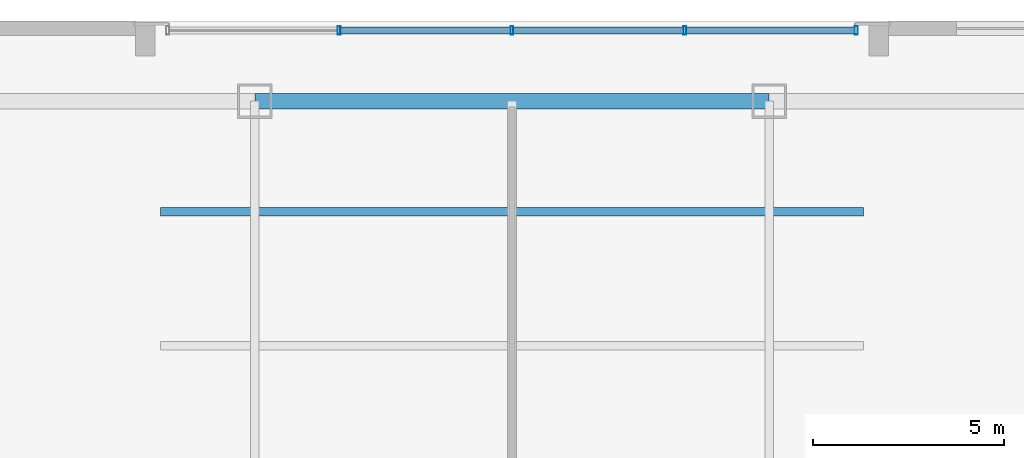
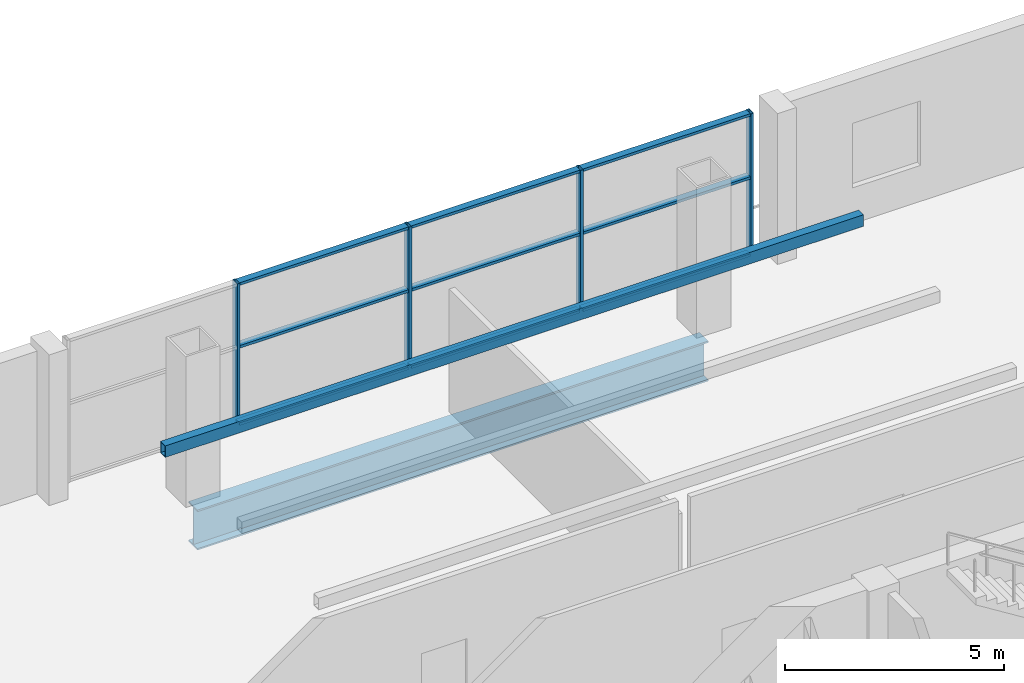
# One storey, part 10 of 21: 14 members, 1 beam, 1 element without a shape of its own.
"""IFC4 building model written with IfcOpenShell, lengths in metres."""

from ifc_helpers import new_model, si_unit, direction, frame, origin, origin_2d, place, context, subcontext, project, spatial, hollow_rectangle, i_section, extrude, material, layer, layer_set, material_profile, profile_set, type_object, element, aggregate, save


model = new_model("IFC4")

# Units and contexts
model_context = context("Model", 3, precision=1e-05, world=origin(), true_north=direction((0.0, 1.0)))
body_context = subcontext(model_context, "Body", "Model", "MODEL_VIEW")
ifc_project = project(units=[si_unit("LENGTHUNIT", "METRE"), si_unit("AREAUNIT", "SQUARE_METRE"), si_unit("VOLUMEUNIT", "CUBIC_METRE"), si_unit("PLANEANGLEUNIT", "RADIAN"), si_unit("MASSUNIT", "GRAM", prefix="KILO")], contexts=[model_context])

# Site, building, storey
site_placement = place(None, origin())
site = spatial("IfcSite", under=ifc_project, at=site_placement, CompositionType="ELEMENT")
building_placement = place(site_placement, origin())
building = spatial("IfcBuilding", under=site, at=building_placement, Name="Qhalaya Broadcast Tower", CompositionType="ELEMENT")
storey_placement = place(building_placement, frame((0.0, 0.0, 21.89990234375)))
storey = spatial("IfcBuildingStorey", under=building, at=storey_placement, Name="L05", CompositionType="ELEMENT", Elevation=21.89990234375)

# Member
ifc_material_1 = material(Name="Structural Steel ASTM A572 Grade 50", Category="steel")
ifc_material_profile_1 = material_profile(ifc_material_1, hollow_rectangle(XDim=0.219970703125, YDim=0.320068359375, WallThickness=0.01611328125, at=origin_2d()), Name="HSS 220x320x16")
ifc_profile_set_1 = profile_set([ifc_material_profile_1], Name="Structural Steel ASTM A572 Grade 50")
member_type_1 = type_object("IfcMemberType", Name="Concourse & Lookout Canopy Purlin PR1", PredefinedType="PURLIN", material=ifc_profile_set_1)
member_1_placement = place(storey_placement, frame((-9.199951171875, 23.0, 3.815185546875), z_axis=(1.0, 0.0, 0.0), x_axis=(0.0, 1.0, 0.0)))
element("IfcMember", 1, at=member_1_placement, inside=storey, type_object=member_type_1, Name="Concourse Skylight Purlin PR-06", PredefinedType="PURLIN", context=body_context, shape_type="SweptSolid", body=[
    extrude(hollow_rectangle(XDim=0.219970703125, YDim=0.320068359375, WallThickness=0.01611328125, at=origin_2d()), origin(), (0.0, 0.0, 1.0), 18.39990234375),
])

# Beam
ifc_material_2 = material(Name="Structural Steel ASTM A992 Grade 50", Category="steel")
ifc_material_profile_2 = material_profile(ifc_material_2, i_section(OverallWidth=0.404052734375, OverallDepth=1.117919921875, WebThickness=0.026123046875, FlangeThickness=0.044921875, at=origin_2d()), Name="W44X335")
ifc_profile_set_2 = profile_set([ifc_material_profile_2], Name="Structural Steel ASTM A992 Grade 50")
beam_type = type_object("IfcBeamType", Name="Podium Long-Span Primary Girder PG1", PredefinedType="USERDEFINED", material=ifc_profile_set_2)
beam_placement = place(storey_placement, frame((6.7333984375, 25.89990234375, -0.93896484375), z_axis=(-1.0, 0.0, 0.0), x_axis=(0.0, -1.0, 0.0)))
element("IfcBeam", 2, at=beam_placement, inside=storey, type_object=beam_type, Name="L05 PG1 L05-PG-R10", ObjectType="GIRDER", PredefinedType="USERDEFINED", context=body_context, shape_type="SweptSolid", body=[
    extrude(i_section(OverallWidth=0.404052734375, OverallDepth=1.117919921875, WebThickness=0.026123046875, FlangeThickness=0.044921875, at=origin_2d()), origin(), (0.0, 0.0, 1.0), 13.466796875),
])

# Curtain wall, members
ifc_material_3 = material(Name="Solar-Control Low-E Triple Glazing", Category="glass")
ifc_layer = layer(ifc_material_3, 0.219970703125, Name="Solar-Control Low-E Triple Glazing")
ifc_layer_set = layer_set([ifc_layer], Name="Solar-Control Low-E Triple Glazing")
curtain_wall_type = type_object("IfcCurtainWallType", Name="Podium Concourse Triple-Height Glazed Portal CW-01", PredefinedType="NOTDEFINED", material=ifc_layer_set)
curtain_wall_placement = place(storey_placement, origin())
curtain_wall = element("IfcCurtainWall", 3, at=curtain_wall_placement, inside=storey, type_object=curtain_wall_type, Name="L05 Unitised Curtain Wall L05-CW01-N", PredefinedType="NOTDEFINED")
ifc_material_4 = material(Name="Anodised Aluminium 6063-T6", Category="aluminium")
ifc_material_profile_3 = material_profile(ifc_material_4, hollow_rectangle(XDim=0.074951171875, YDim=0.219970703125, WallThickness=0.00390625, at=origin_2d()), Name="ALU-MUL 75x220x4")
ifc_profile_set_3 = profile_set([ifc_material_profile_3], Name="Anodised Aluminium 6063-T6")
member_type_2 = type_object("IfcMemberType", Name="Unitised Curtain-Wall Mullion M01", PredefinedType="MULLION", material=ifc_profile_set_3)
member_2_placement = place(storey_placement, frame((9.012451171875, 27.75, 0.0), z_axis=(0.0, 0.0, 1.0), x_axis=(-1.0, 0.0, 0.0)))
member_2 = element("IfcMember", 4, at=member_2_placement, type_object=member_type_2, Name="CW-01 mullion 1", PredefinedType="MULLION", context=body_context, shape_type="SweptSolid", body=[
    extrude(hollow_rectangle(XDim=0.074951171875, YDim=0.219970703125, WallThickness=0.00390625, at=origin_2d()), origin(), (0.0, 0.0, 1.0), 3.97998046875),
])
member_3_placement = place(storey_placement, frame((4.52490234375, 27.75, 0.0), z_axis=(0.0, 0.0, 1.0), x_axis=(-1.0, 0.0, 0.0)))
member_3 = element("IfcMember", 5, at=member_3_placement, type_object=member_type_2, Name="CW-01 mullion 2", PredefinedType="MULLION", context=body_context, shape_type="SweptSolid", body=[
    extrude(hollow_rectangle(XDim=0.074951171875, YDim=0.219970703125, WallThickness=0.00390625, at=origin_2d()), origin(), (0.0, 0.0, 1.0), 3.97998046875),
])
member_4_placement = place(storey_placement, frame((0.0, 27.75, 0.0), z_axis=(0.0, 0.0, 1.0), x_axis=(-1.0, 0.0, 0.0)))
member_4 = element("IfcMember", 6, at=member_4_placement, type_object=member_type_2, Name="CW-01 mullion 3", PredefinedType="MULLION", context=body_context, shape_type="SweptSolid", body=[
    extrude(hollow_rectangle(XDim=0.074951171875, YDim=0.219970703125, WallThickness=0.00390625, at=origin_2d()), origin(), (0.0, 0.0, 1.0), 3.97998046875),
])
member_5_placement = place(storey_placement, frame((-4.52490234375, 27.75, 0.0), z_axis=(0.0, 0.0, 1.0), x_axis=(-1.0, 0.0, 0.0)))
member_5 = element("IfcMember", 7, at=member_5_placement, type_object=member_type_2, Name="CW-01 mullion 4", PredefinedType="MULLION", context=body_context, shape_type="SweptSolid", body=[
    extrude(hollow_rectangle(XDim=0.074951171875, YDim=0.219970703125, WallThickness=0.00390625, at=origin_2d()), origin(), (0.0, 0.0, 1.0), 3.97998046875),
])
ifc_material_profile_4 = material_profile(ifc_material_4, hollow_rectangle(XDim=0.074951171875, YDim=0.179931640625, WallThickness=0.00390625, at=origin_2d()), Name="ALU-TRN 75x180x4")
ifc_profile_set_4 = profile_set([ifc_material_profile_4], Name="Anodised Aluminium 6063-T6")
member_type_3 = type_object("IfcMemberType", Name="Unitised Curtain-Wall Transom T01", PredefinedType="USERDEFINED", material=ifc_profile_set_4)
member_6_placement = place(storey_placement, frame((8.97509765625, 27.75, 0.03759765625), z_axis=(-1.0, 0.0, 0.0), x_axis=(0.0, 0.0, 1.0)))
member_6 = element("IfcMember", 8, at=member_6_placement, type_object=member_type_3, Name="CW-01 transom 1.1", ObjectType="TRANSOM", PredefinedType="USERDEFINED", context=body_context, shape_type="SweptSolid", body=[
    extrude(hollow_rectangle(XDim=0.074951171875, YDim=0.179931640625, WallThickness=0.00390625, at=origin_2d()), origin(), (0.0, 0.0, 1.0), 4.41259765625),
])
member_7_placement = place(storey_placement, frame((8.97509765625, 27.75, 2.189208984375), z_axis=(-1.0, 0.0, 0.0), x_axis=(0.0, 0.0, 1.0)))
member_7 = element("IfcMember", 9, at=member_7_placement, type_object=member_type_3, Name="CW-01 transom 1.2", ObjectType="TRANSOM", PredefinedType="USERDEFINED", context=body_context, shape_type="SweptSolid", body=[
    extrude(hollow_rectangle(XDim=0.074951171875, YDim=0.179931640625, WallThickness=0.00390625, at=origin_2d()), origin(), (0.0, 0.0, 1.0), 4.41259765625),
])
member_8_placement = place(storey_placement, frame((8.97509765625, 27.75, 3.942626953125), z_axis=(-1.0, 0.0, 0.0), x_axis=(0.0, 0.0, 1.0)))
member_8 = element("IfcMember", 10, at=member_8_placement, type_object=member_type_3, Name="CW-01 transom 1.3", ObjectType="TRANSOM", PredefinedType="USERDEFINED", context=body_context, shape_type="SweptSolid", body=[
    extrude(hollow_rectangle(XDim=0.074951171875, YDim=0.179931640625, WallThickness=0.00390625, at=origin_2d()), origin(), (0.0, 0.0, 1.0), 4.41259765625),
])
member_9_placement = place(storey_placement, frame((4.487548828125, 27.75, 0.03759765625), z_axis=(-1.0, 0.0, 0.0), x_axis=(0.0, 0.0, 1.0)))
member_9 = element("IfcMember", 11, at=member_9_placement, type_object=member_type_3, Name="CW-01 transom 2.1", ObjectType="TRANSOM", PredefinedType="USERDEFINED", context=body_context, shape_type="SweptSolid", body=[
    extrude(hollow_rectangle(XDim=0.074951171875, YDim=0.179931640625, WallThickness=0.00390625, at=origin_2d()), origin(), (0.0, 0.0, 1.0), 4.449951171875),
])
member_10_placement = place(storey_placement, frame((4.487548828125, 27.75, 2.189208984375), z_axis=(-1.0, 0.0, 0.0), x_axis=(0.0, 0.0, 1.0)))
member_10 = element("IfcMember", 12, at=member_10_placement, type_object=member_type_3, Name="CW-01 transom 2.2", ObjectType="TRANSOM", PredefinedType="USERDEFINED", context=body_context, shape_type="SweptSolid", body=[
    extrude(hollow_rectangle(XDim=0.074951171875, YDim=0.179931640625, WallThickness=0.00390625, at=origin_2d()), origin(), (0.0, 0.0, 1.0), 4.449951171875),
])
member_11_placement = place(storey_placement, frame((4.487548828125, 27.75, 3.942626953125), z_axis=(-1.0, 0.0, 0.0), x_axis=(0.0, 0.0, 1.0)))
member_11 = element("IfcMember", 13, at=member_11_placement, type_object=member_type_3, Name="CW-01 transom 2.3", ObjectType="TRANSOM", PredefinedType="USERDEFINED", context=body_context, shape_type="SweptSolid", body=[
    extrude(hollow_rectangle(XDim=0.074951171875, YDim=0.179931640625, WallThickness=0.00390625, at=origin_2d()), origin(), (0.0, 0.0, 1.0), 4.449951171875),
])
member_12_placement = place(storey_placement, frame((-0.03759765625, 27.75, 0.03759765625), z_axis=(-1.0, 0.0, 0.0), x_axis=(0.0, 0.0, 1.0)))
member_12 = element("IfcMember", 14, at=member_12_placement, type_object=member_type_3, Name="CW-01 transom 3.1", ObjectType="TRANSOM", PredefinedType="USERDEFINED", context=body_context, shape_type="SweptSolid", body=[
    extrude(hollow_rectangle(XDim=0.074951171875, YDim=0.179931640625, WallThickness=0.00390625, at=origin_2d()), origin(), (0.0, 0.0, 1.0), 4.449951171875),
])
member_13_placement = place(storey_placement, frame((-0.03759765625, 27.75, 2.189208984375), z_axis=(-1.0, 0.0, 0.0), x_axis=(0.0, 0.0, 1.0)))
member_13 = element("IfcMember", 15, at=member_13_placement, type_object=member_type_3, Name="CW-01 transom 3.2", ObjectType="TRANSOM", PredefinedType="USERDEFINED", context=body_context, shape_type="SweptSolid", body=[
    extrude(hollow_rectangle(XDim=0.074951171875, YDim=0.179931640625, WallThickness=0.00390625, at=origin_2d()), origin(), (0.0, 0.0, 1.0), 4.449951171875),
])
member_14_placement = place(storey_placement, frame((-0.03759765625, 27.75, 3.942626953125), z_axis=(-1.0, 0.0, 0.0), x_axis=(0.0, 0.0, 1.0)))
member_14 = element("IfcMember", 16, at=member_14_placement, type_object=member_type_3, Name="CW-01 transom 3.3", ObjectType="TRANSOM", PredefinedType="USERDEFINED", context=body_context, shape_type="SweptSolid", body=[
    extrude(hollow_rectangle(XDim=0.074951171875, YDim=0.179931640625, WallThickness=0.00390625, at=origin_2d()), origin(), (0.0, 0.0, 1.0), 4.449951171875),
])
aggregate(curtain_wall, [member_2, member_3, member_4, member_5, member_6, member_7, member_8, member_9, member_10, member_11, member_12, member_13, member_14])

save(model, "model.ifc")
